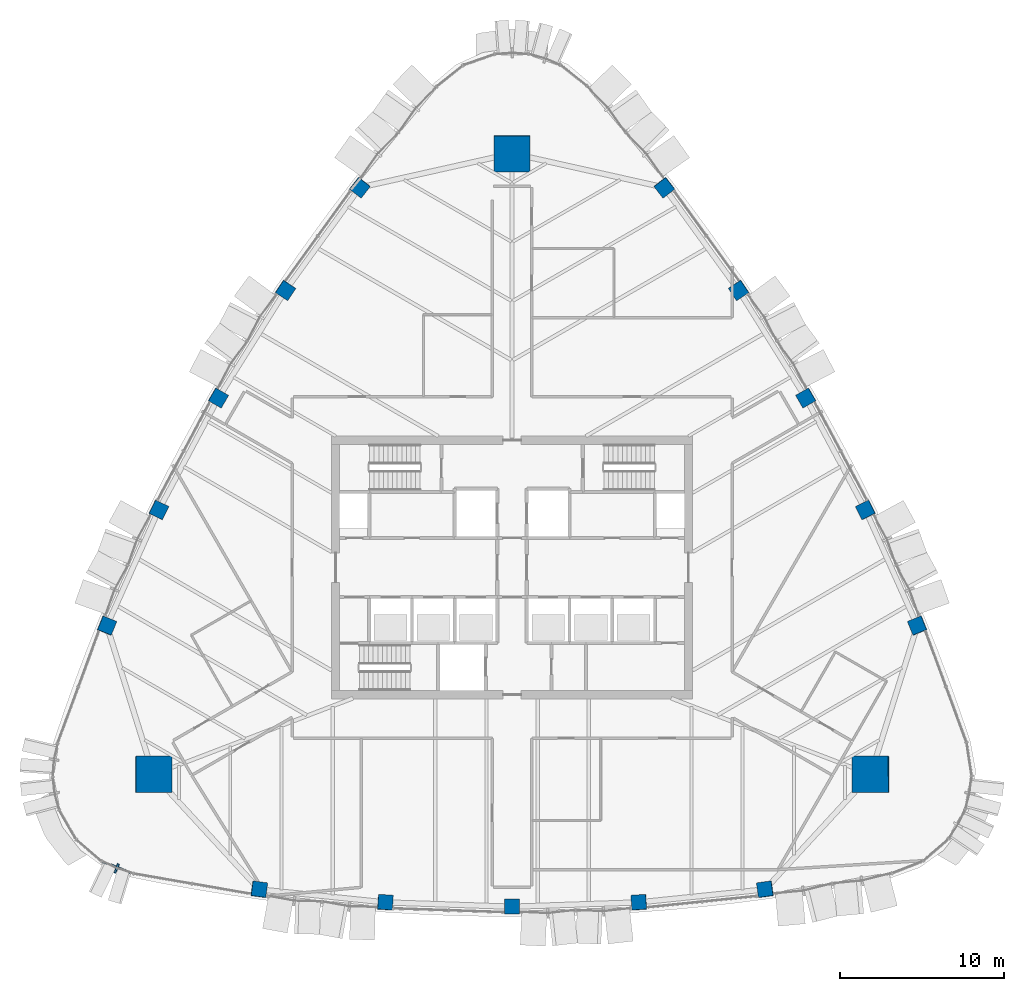
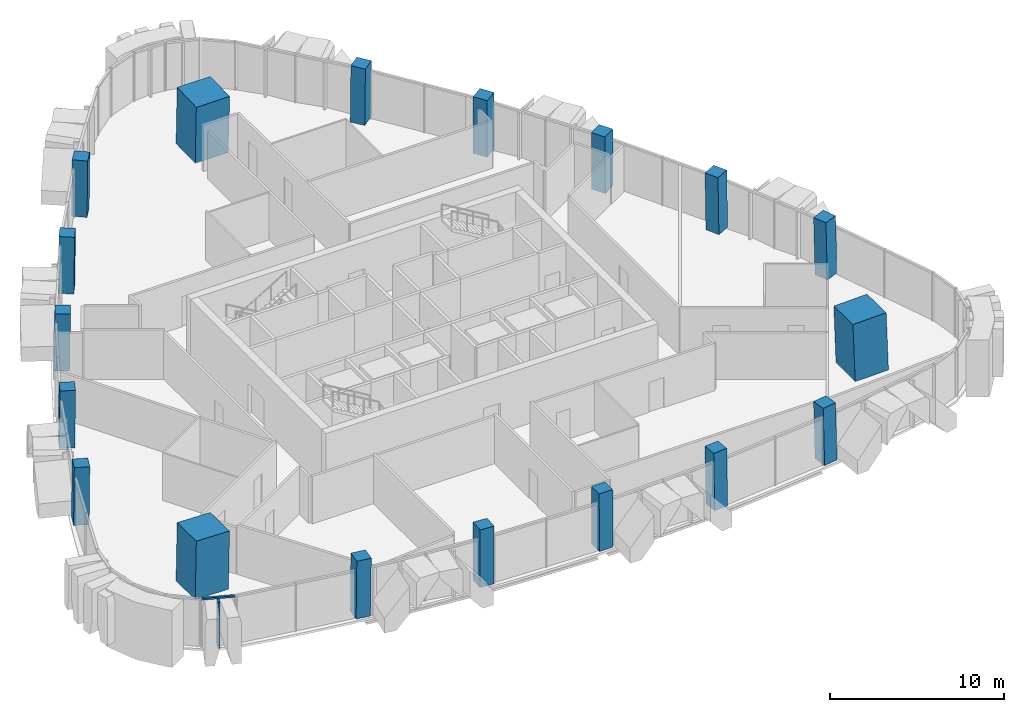
# One storey, part 1 of 18: 18 columns, 2 members, 1 element without a shape of its own.
"""IFC4 building model written with IfcOpenShell, lengths in metres."""

from ifc_helpers import new_model, si_unit, direction, frame, origin, origin_2d, place, context, subcontext, project, spatial, rectangle, extrude, material, layer, layer_set, material_profile, profile_set, type_object, element, aggregate, save


model = new_model("IFC4")

# Units and contexts
model_context = context("Model", 3, precision=1e-05, world=origin(), true_north=direction((0.0, 1.0)))
body_context = subcontext(model_context, "Body", "Model", "MODEL_VIEW")
ifc_project = project(units=[si_unit("LENGTHUNIT", "METRE"), si_unit("AREAUNIT", "SQUARE_METRE"), si_unit("VOLUMEUNIT", "CUBIC_METRE"), si_unit("PLANEANGLEUNIT", "RADIAN"), si_unit("MASSUNIT", "GRAM", prefix="KILO")], contexts=[model_context])

# Site, building, storey
site_placement = place(None, origin())
site = spatial("IfcSite", under=ifc_project, at=site_placement, CompositionType="ELEMENT")
building_placement = place(site_placement, origin())
building = spatial("IfcBuilding", under=site, at=building_placement, Name="Sierra Prisma Convention Tower", CompositionType="ELEMENT")
storey_placement = place(building_placement, frame((0.0, 0.0, 247.0)))
storey = spatial("IfcBuildingStorey", under=building, at=storey_placement, Name="L55", CompositionType="ELEMENT", Elevation=247.0)

# Columns
ifc_material_1 = material(Name="Concrete C50/60", Category="concrete")
ifc_material_profile_1 = material_profile(ifc_material_1, rectangle(XDim=2.199951171875, YDim=2.199951171875, at=origin_2d()), Name="Mega column RC 2200 C50/60")
ifc_profile_set_1 = profile_set([ifc_material_profile_1], Name="Concrete C50/60")
column_type_1 = type_object("IfcColumnType", Name="Mega column RC 2200 C50/60", PredefinedType="COLUMN", material=ifc_profile_set_1)
for number, where, z_axis, x_axis, name in (
    (1, (21.84619140625, -12.61279296875, 0.0), (-0.027878633223, 0.016043939908, 0.999482553025), (0.999611315367, 0.000447457036, 0.02787504211), "Mega column SE L55"),
    (2, (0.0, 25.2255859375, 0.0), (0.0, -0.032148900677, 0.999483090495), (1.0, 0.0, 0.0), "Mega column N L55"),
    (3, (-21.84619140625, -12.61279296875, 0.0), (0.027878633223, 0.016043939908, 0.999482553025), (0.999611315367, -0.000447457036, -0.02787504211), "Mega column SW L55"),
):
    element("IfcColumn", number, at=place(storey_placement, frame(where, z_axis=z_axis, x_axis=x_axis)), inside=storey, type_object=column_type_1, Name=name, PredefinedType="COLUMN", context=body_context, shape_type="SweptSolid", body=[
        extrude(rectangle(XDim=2.199951171875, YDim=2.199951171875, at=origin_2d()), origin(), (0.0, 0.0, 1.0), 4.001953125),
    ])
ifc_material_2 = material(Name="Concrete C50/60", Category="concrete")
ifc_material_profile_2 = material_profile(ifc_material_2, rectangle(XDim=0.89990234375, YDim=0.89990234375, at=origin_2d()), Name="Perimeter column RC 900 C50/60")
ifc_profile_set_2 = profile_set([ifc_material_profile_2], Name="Concrete C50/60")
column_type_2 = type_object("IfcColumnType", Name="Perimeter column RC 900 C50/60", PredefinedType="COLUMN", material=ifc_profile_set_2)
column_1_placement = place(storey_placement, frame((-15.4111328125, -19.605224609375, 0.0), z_axis=(0.017513460473, 0.010373826761, 0.999792809746), x_axis=(-0.990523512969, 0.136415635132, 0.015935643936)))
element("IfcColumn", 4, at=column_1_placement, inside=storey, type_object=column_type_2, Name="Perimeter column S-1 L55", PredefinedType="COLUMN", context=body_context, shape_type="SweptSolid", body=[
    extrude(rectangle(XDim=0.89990234375, YDim=0.89990234375, at=origin_2d()), origin(), (0.0, 0.0, 1.0), 4.000732421875),
])
column_2_placement = place(storey_placement, frame((-7.7236328125, -20.39599609375, 0.0), z_axis=(0.008788174922, 0.01116830563, 0.999899013366), x_axis=(-0.997627554149, 0.06837537008, 0.00800449677)))
element("IfcColumn", 5, at=column_2_placement, inside=storey, type_object=column_type_2, Name="Perimeter column S-2 L55", PredefinedType="COLUMN", context=body_context, shape_type="SweptSolid", body=[
    extrude(rectangle(XDim=0.89990234375, YDim=0.89990234375, at=origin_2d()), origin(), (0.0, 0.0, 1.0), 4.00048828125),
])
column_3_placement = place(storey_placement, frame((0.0, -20.659912109375, 0.0), z_axis=(0.0, 0.01141283087, 0.999934871525), x_axis=(1.0, 0.0, 0.0)))
element("IfcColumn", 6, at=column_3_placement, inside=storey, type_object=column_type_2, Name="Perimeter column S-3 L55", PredefinedType="COLUMN", context=body_context, shape_type="SweptSolid", body=[
    extrude(rectangle(XDim=0.89990234375, YDim=0.89990234375, at=origin_2d()), origin(), (0.0, 0.0, 1.0), 4.000244140625),
])
column_4_placement = place(storey_placement, frame((7.7236328125, -20.39599609375, 0.0), z_axis=(-0.008788174922, 0.01116830563, 0.999899013366), x_axis=(0.997627554149, 0.06837537008, 0.00800449677)))
element("IfcColumn", 7, at=column_4_placement, inside=storey, type_object=column_type_2, Name="Perimeter column S-4 L55", PredefinedType="COLUMN", context=body_context, shape_type="SweptSolid", body=[
    extrude(rectangle(XDim=0.89990234375, YDim=0.89990234375, at=origin_2d()), origin(), (0.0, 0.0, 1.0), 4.00048828125),
])
for number, where, z_axis, x_axis, name in (
    (8, (15.4111328125, -19.605224609375, 0.0), (-0.017513460473, 0.010373826761, 0.999792809746), (0.990523512969, 0.136415635132, 0.015935643936), "Perimeter column S-5 L55"),
    (9, (24.68408203125, -3.5439453125, 0.0), (-0.017757540332, 0.01000768596, 0.999792236409), (-0.37728836957, 0.925958127523, -0.01596972952), "Perimeter column NE-1 L55"),
):
    element("IfcColumn", number, at=place(storey_placement, frame(where, z_axis=z_axis, x_axis=x_axis)), inside=storey, type_object=column_type_2, Name=name, PredefinedType="COLUMN", context=body_context, shape_type="SweptSolid", body=[
        extrude(rectangle(XDim=0.89990234375, YDim=0.89990234375, at=origin_2d()), origin(), (0.0, 0.0, 1.0), 4.000732421875),
    ])
column_5_placement = place(storey_placement, frame((21.525390625, 3.509033203125, 0.0), z_axis=(-0.014097691364, 0.002013955909, 0.999898594398), x_axis=(-0.439655652869, 0.898130716011, -0.008007737393)))
element("IfcColumn", 10, at=column_5_placement, inside=storey, type_object=column_type_2, Name="Perimeter column NE-2 L55", PredefinedType="COLUMN", context=body_context, shape_type="SweptSolid", body=[
    extrude(rectangle(XDim=0.89990234375, YDim=0.89990234375, at=origin_2d()), origin(), (0.0, 0.0, 1.0), 4.00048828125),
])
column_6_placement = place(storey_placement, frame((17.89208984375, 10.330078125, 0.0), z_axis=(-0.009887049298, -0.00573692984, 0.999934664812), x_axis=(-0.499975560967, 0.866039512843, 2.5126546e-05)))
element("IfcColumn", 11, at=column_6_placement, inside=storey, type_object=column_type_2, Name="Perimeter column NE-3 L55", PredefinedType="COLUMN", context=body_context, shape_type="SweptSolid", body=[
    extrude(rectangle(XDim=0.89990234375, YDim=0.89990234375, at=origin_2d()), origin(), (0.0, 0.0, 1.0), 4.000244140625),
])
column_7_placement = place(storey_placement, frame((13.801513671875, 16.886962890625, 0.0), z_axis=(-0.005248490815, -0.013243284963, 0.999898529226), x_axis=(-0.557959046622, 0.829829323284, 0.00806204133)))
element("IfcColumn", 12, at=column_7_placement, inside=storey, type_object=column_type_2, Name="Perimeter column NE-4 L55", PredefinedType="COLUMN", context=body_context, shape_type="SweptSolid", body=[
    extrude(rectangle(XDim=0.89990234375, YDim=0.89990234375, at=origin_2d()), origin(), (0.0, 0.0, 1.0), 4.00048828125),
])
for number, where, z_axis, x_axis, name in (
    (13, (9.27294921875, 23.149169921875, 0.0), (-0.000244089904, -0.020381506962, 0.999792245716), (-0.613327568123, 0.789667618929, 0.015948222318), "Perimeter column NE-5 L55"),
    (14, (-9.27294921875, 23.149169921875, 0.0), (0.000244089904, -0.020381506962, 0.999792245716), (0.613327568123, 0.789667618929, 0.015948222318), "Perimeter column NW-1 L55"),
):
    element("IfcColumn", number, at=place(storey_placement, frame(where, z_axis=z_axis, x_axis=x_axis)), inside=storey, type_object=column_type_2, Name=name, PredefinedType="COLUMN", context=body_context, shape_type="SweptSolid", body=[
        extrude(rectangle(XDim=0.89990234375, YDim=0.89990234375, at=origin_2d()), origin(), (0.0, 0.0, 1.0), 4.000732421875),
    ])
column_8_placement = place(storey_placement, frame((-13.801513671875, 16.886962890625, 0.0), z_axis=(0.005248490815, -0.013243284963, 0.999898529226), x_axis=(0.557959046622, 0.829829323284, 0.00806204133)))
element("IfcColumn", 15, at=column_8_placement, inside=storey, type_object=column_type_2, Name="Perimeter column NW-2 L55", PredefinedType="COLUMN", context=body_context, shape_type="SweptSolid", body=[
    extrude(rectangle(XDim=0.89990234375, YDim=0.89990234375, at=origin_2d()), origin(), (0.0, 0.0, 1.0), 4.00048828125),
])
column_9_placement = place(storey_placement, frame((-17.89208984375, 10.330078125, 0.0), z_axis=(0.009887049298, -0.00573692984, 0.999934664812), x_axis=(0.499975560967, 0.866039512843, 2.5126546e-05)))
element("IfcColumn", 16, at=column_9_placement, inside=storey, type_object=column_type_2, Name="Perimeter column NW-3 L55", PredefinedType="COLUMN", context=body_context, shape_type="SweptSolid", body=[
    extrude(rectangle(XDim=0.89990234375, YDim=0.89990234375, at=origin_2d()), origin(), (0.0, 0.0, 1.0), 4.000244140625),
])
column_10_placement = place(storey_placement, frame((-21.525390625, 3.509033203125, 0.0), z_axis=(0.014097691364, 0.002013955909, 0.999898594398), x_axis=(0.439655652869, 0.898130716011, -0.008007737393)))
element("IfcColumn", 17, at=column_10_placement, inside=storey, type_object=column_type_2, Name="Perimeter column NW-4 L55", PredefinedType="COLUMN", context=body_context, shape_type="SweptSolid", body=[
    extrude(rectangle(XDim=0.89990234375, YDim=0.89990234375, at=origin_2d()), origin(), (0.0, 0.0, 1.0), 4.00048828125),
])
column_11_placement = place(storey_placement, frame((-24.68408203125, -3.5439453125, 0.0), z_axis=(0.017757540332, 0.01000768596, 0.999792236409), x_axis=(0.37728836957, 0.925958127523, -0.01596972952)))
element("IfcColumn", 18, at=column_11_placement, inside=storey, type_object=column_type_2, Name="Perimeter column NW-5 L55", PredefinedType="COLUMN", context=body_context, shape_type="SweptSolid", body=[
    extrude(rectangle(XDim=0.89990234375, YDim=0.89990234375, at=origin_2d()), origin(), (0.0, 0.0, 1.0), 4.000732421875),
])

# Curtain wall, members
ifc_material_3 = material(Name="Aluminium and glass curtain wall", Category="aluminium")
ifc_layer = layer(ifc_material_3, 0.179931640625)
ifc_layer_set = layer_set([ifc_layer], Name="CW-2 Faceted crystal curtain wall")
curtain_wall_type = type_object("IfcCurtainWallType", Name="CW-2 Faceted crystal curtain wall", PredefinedType="NOTDEFINED", material=ifc_layer_set)
curtain_wall_placement = place(storey_placement, origin())
curtain_wall = element("IfcCurtainWall", 19, at=curtain_wall_placement, inside=storey, type_object=curtain_wall_type, Name="CW-2 SW5 L55", PredefinedType="NOTDEFINED")
ifc_material_4 = material(Name="Aluminium 6063-T6 bronze anodised", Category="aluminium")
ifc_material_profile_3 = material_profile(ifc_material_4, rectangle(XDim=0.1201171875, YDim=0.60009765625, at=origin_2d()), Name="ALU RIDGE BLADE 120x600")
ifc_profile_set_3 = profile_set([ifc_material_profile_3], Name="Aluminium 6063-T6 bronze anodised")
member_type_1 = type_object("IfcMemberType", Name="CW hip bronze", PredefinedType="MULLION", material=ifc_profile_set_3)
member_1_placement = place(storey_placement, frame((-24.085693359375, -18.328369140625, 0.0), z_axis=(0.0, 0.0, 1.0), x_axis=(0.931077356611, -0.36482181405, 0.0)))
member_1 = element("IfcMember", 20, at=member_1_placement, type_object=member_type_1, Name="CW-2 ridge SW5.1", PredefinedType="MULLION", context=body_context, shape_type="SweptSolid", body=[
    extrude(rectangle(XDim=0.1201171875, YDim=0.60009765625, at=origin_2d()), origin(), (0.0, 0.0, 1.0), 3.280029296875),
])
ifc_material_5 = material(Name="Aluminium 6063-T6 bronze anodised", Category="aluminium")
ifc_material_profile_4 = material_profile(ifc_material_5, rectangle(XDim=0.139892578125, YDim=0.1201171875, at=origin_2d()), Name="ALU TRANSOM 120x140")
ifc_profile_set_4 = profile_set([ifc_material_profile_4], Name="Aluminium 6063-T6 bronze anodised")
member_type_2 = type_object("IfcMemberType", Name="CW transom bronze", PredefinedType="USERDEFINED", material=ifc_profile_set_4)
member_2_placement = place(storey_placement, frame((-24.952880859375, -17.907470703125, 3.340087890625), z_axis=(0.931081514664, -0.364811201926, 0.0), x_axis=(0.364811201926, 0.931081514664, 0.0)))
member_2 = element("IfcMember", 21, at=member_2_placement, type_object=member_type_2, Name="CW-1 transom SW5.1", ObjectType="TRANSOM", PredefinedType="USERDEFINED", context=body_context, shape_type="SweptSolid", body=[
    extrude(rectangle(XDim=0.139892578125, YDim=0.1201171875, at=origin_2d()), origin(), (0.0, 0.0, 1.0), 1.922119140625),
])
aggregate(curtain_wall, [member_2, member_1])

save(model, "model.ifc")
